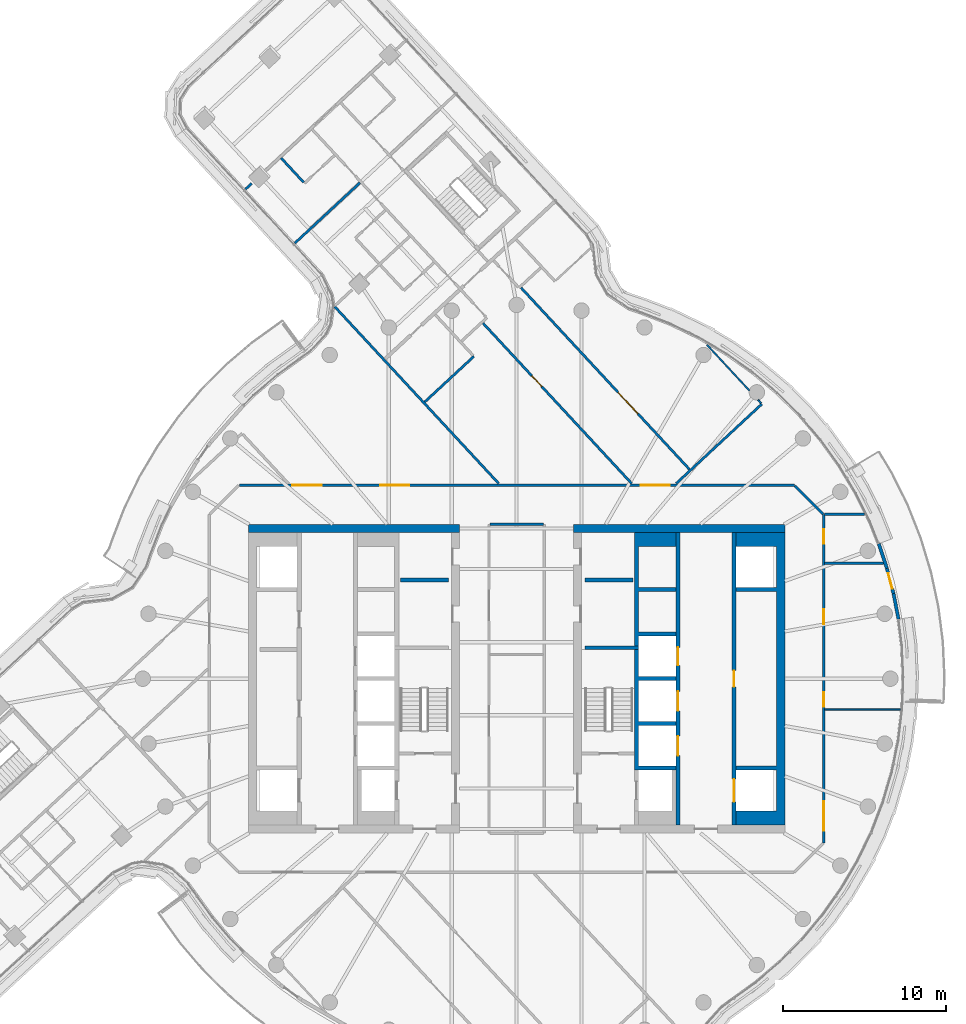
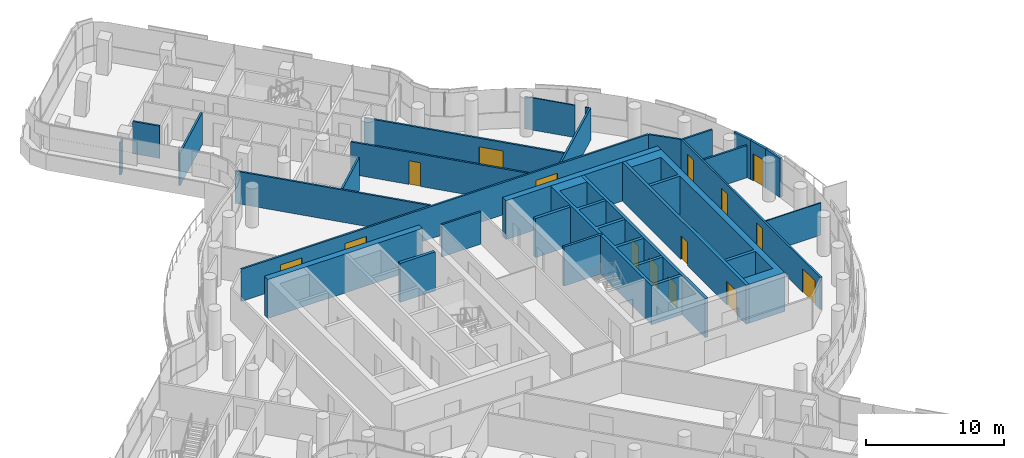
# One storey, part 24 of 34: 29 walls, 15 doors, 15 openings.
"""IFC4 building model written with IfcOpenShell, lengths in metres."""

from ifc_helpers import new_model, si_unit, direction, frame, frame_2d, origin, place, context, subcontext, project, spatial, polyline, rectangle, outline, extrude, material, layer, layer_set, type_object, element, fill, save


model = new_model("IFC4")

# Units and contexts
model_context = context("Model", 3, precision=1e-05, world=origin(), true_north=direction((0.0, 1.0)))
body_context = subcontext(model_context, "Body", "Model", "MODEL_VIEW")
ifc_project = project(units=[si_unit("LENGTHUNIT", "METRE"), si_unit("AREAUNIT", "SQUARE_METRE"), si_unit("VOLUMEUNIT", "CUBIC_METRE"), si_unit("PLANEANGLEUNIT", "RADIAN"), si_unit("MASSUNIT", "GRAM", prefix="KILO")], contexts=[model_context])

# Site, building, storey
site_placement = place(None, origin())
site = spatial("IfcSite", under=ifc_project, at=site_placement, CompositionType="ELEMENT")
building_placement = place(site_placement, origin())
building = spatial("IfcBuilding", under=site, at=building_placement, Name="Tamarind Cross Interchange Tower", CompositionType="ELEMENT")
storey_placement = place(building_placement, frame((0.0, 0.0, 189.699951171875)))
storey = spatial("IfcBuildingStorey", under=building, at=storey_placement, Name="L47", CompositionType="ELEMENT", Elevation=189.699951171875)

# Walls
ifc_material_1 = material(Name="Concrete C40", Category="concrete")
ifc_layer_1 = layer(ifc_material_1, 0.199951171875)
ifc_layer_set_1 = layer_set([ifc_layer_1], Name="Concrete C40")
wall_type_1 = type_object("IfcWallType", Name="Balcony and garden door wall", PredefinedType="SOLIDWALL", material=ifc_layer_set_1)
wall_1_placement = place(storey_placement, frame((23.5, 3.66162109375, 0.0), z_axis=(0.0, 0.0, 1.0), x_axis=(-0.191317400728, 0.981528222813, 0.0)))
element("IfcWall", 1, at=wall_1_placement, inside=storey, type_object=wall_type_1, Name="EXW-L47-02-D07L", PredefinedType="SOLIDWALL", context=body_context, shape_type="SweptSolid", body=[
    extrude(rectangle(XDim=1.605224609375, YDim=0.199951171875, at=frame_2d((0.802734375, 0.0))), origin(), (0.0, 0.0, 1.0), 3.4599609375),
])
wall_2_placement = place(storey_placement, frame((22.787353515625, 6.78369140625, 0.0), z_axis=(0.0, 0.0, 1.0), x_axis=(-0.314950038324, 0.949108251655, 0.0)))
element("IfcWall", 2, at=wall_2_placement, inside=storey, type_object=wall_type_1, Name="EXW-L47-02-D07R", PredefinedType="SOLIDWALL", context=body_context, shape_type="SweptSolid", body=[
    extrude(rectangle(XDim=1.60546875, YDim=0.199951171875, at=frame_2d((0.802734375, 0.0))), origin(), (0.0, 0.0, 1.0), 3.4599609375),
])

# Wall, opening, door
wall_3_placement = place(storey_placement, frame((23.19287109375, 5.2373046875, 0.0), z_axis=(0.0, 0.0, 1.0), x_axis=(-0.253658813577, 0.96729375388, 0.0)))
wall_3 = element("IfcWall", 3, at=wall_3_placement, inside=storey, type_object=wall_type_1, Name="EXW-L47-02-D07", PredefinedType="SOLIDWALL", context=body_context, shape_type="SweptSolid", body=[
    extrude(rectangle(XDim=1.5986328125, YDim=0.199951171875, at=frame_2d((0.79931640625, 0.0))), origin(), (0.0, 0.0, 1.0), 3.4599609375),
])
opening_1_placement = place(wall_3_placement, frame((0.29931640625, 0.0, 0.0)))
opening_1 = element("IfcOpeningElement", 4, at=opening_1_placement, cuts=wall_3, Name="Opening D2", PredefinedType="OPENING", context=body_context, shape_type="SweptSolid", body=[
    extrude(rectangle(XDim=1.0, YDim=2.39990234375, at=frame_2d((0.5, 1.199951171875))), frame((0.0, 0.10986328125, 0.0), z_axis=(0.0, -1.0, 0.0), x_axis=(1.0, 0.0, 0.0)), (0.0, 0.0, 1.0), 0.219970703125),
])
ifc_material_2 = material(Name="Aluminium and toughened glass", Category="aluminium")
door_type_1 = type_object("IfcDoorType", Name="Balcony and garden door", OperationType="SINGLE_SWING_LEFT", PredefinedType="DOOR", material=ifc_material_2)
door_1_placement = place(opening_1_placement, origin())
door_1 = element("IfcDoor", 5, at=door_1_placement, inside=storey, type_object=door_type_1, Name="DOR-L47-02-07", OperationType="SINGLE_SWING_LEFT", OverallHeight=2.39990234375, OverallWidth=1.0, PredefinedType="DOOR", context=body_context, shape_type="SweptSolid", body=[
    extrude(rectangle(XDim=1.0, YDim=2.39990234375, at=frame_2d((0.5, 1.199951171875))), frame((0.0, 0.02490234375, 0.0), z_axis=(0.0, -1.0, 0.0), x_axis=(1.0, 0.0, 0.0)), (0.0, 0.0, 1.0), 0.050048828125),
])
fill(opening_1, door_1)

# Walls
ifc_material_3 = material(Name="Concrete C55", Category="concrete")
ifc_layer_2 = layer(ifc_material_3, 0.5)
ifc_layer_set_2 = layer_set([ifc_layer_2], Name="Concrete C55")
wall_type_2 = type_object("IfcWallType", Name="Core wall 500 mm Concrete C55", PredefinedType="SHEAR", material=ifc_layer_set_2)
wall_4_placement = place(storey_placement, frame((-16.5, 9.25, 0.0), z_axis=(0.0, 0.0, 1.0), x_axis=(1.0, 0.0, 0.0)))
element("IfcWall", 6, at=wall_4_placement, inside=storey, type_object=wall_type_2, Name="Core wall CWL-L47-W-NE", PredefinedType="SHEAR", context=body_context, shape_type="SweptSolid", body=[
    extrude(rectangle(XDim=13.0, YDim=0.5, at=frame_2d((6.5, 0.0))), origin(), (0.0, 0.0, 1.0), 3.4599609375),
])
wall_5_placement = place(storey_placement, origin())
element("IfcWall", 7, at=wall_5_placement, inside=storey, type_object=wall_type_2, Name="Core wall CWL-L47-E-A", PredefinedType="SHEAR", context=body_context, shape_type="SweptSolid", body=[
    extrude(outline(polyline([(13.5, -8.125), (13.5, -9.0), (16.0, -9.0), (16.5, -9.0), (16.5, 9.0), (16.0, 9.0), (13.5, 9.0), (13.5, 8.125), (16.0, 8.125), (16.0, 5.625), (13.5, 5.625), (13.5, 5.375), (16.0, 5.375), (16.0, -5.375), (13.5, -5.375), (13.5, -5.625), (16.0, -5.625), (16.0, -8.125), (13.5, -8.125)])), origin(), (0.0, 0.0, 1.0), 3.4599609375),
])
wall_6_placement = place(storey_placement, frame((16.5, 9.25, 0.0), z_axis=(0.0, 0.0, 1.0), x_axis=(-1.0, 0.0, 0.0)))
element("IfcWall", 8, at=wall_6_placement, inside=storey, type_object=wall_type_2, Name="Core wall CWL-L47-E-NE", PredefinedType="SHEAR", context=body_context, shape_type="SweptSolid", body=[
    extrude(rectangle(XDim=13.0, YDim=0.5, at=frame_2d((6.5, 0.0))), origin(), (0.0, 0.0, 1.0), 3.4599609375),
])
ifc_layer_3 = layer(ifc_material_3, 0.199951171875)
ifc_layer_set_3 = layer_set([ifc_layer_3], Name="Concrete C55")
wall_type_3 = type_object("IfcWallType", Name="Core web wall 200 mm Concrete C55", PredefinedType="SHEAR", material=ifc_layer_set_3)
wall_7_placement = place(storey_placement, frame((7.5, 1.89990234375, 0.0), z_axis=(0.0, 0.0, 1.0), x_axis=(-1.0, 0.0, 0.0)))
element("IfcWall", 9, at=wall_7_placement, inside=storey, type_object=wall_type_3, Name="Core wall CWL-L47-E-BD", PredefinedType="SHEAR", context=body_context, shape_type="SweptSolid", body=[
    extrude(rectangle(XDim=3.300048828125, YDim=0.199951171875, at=frame_2d((1.64990234375, 0.0))), origin(), (0.0, 0.0, 1.0), 3.4599609375),
])
ifc_layer_4 = layer(ifc_material_3, 0.25)
ifc_layer_set_4 = layer_set([ifc_layer_4], Name="Concrete C55")
wall_type_4 = type_object("IfcWallType", Name="Core web wall 250 mm Concrete C55", PredefinedType="SHEAR", material=ifc_layer_set_4)
wall_8_placement = place(storey_placement, origin())
element("IfcWall", 10, at=wall_8_placement, inside=storey, type_object=wall_type_4, Name="Core wall CWL-L47-E-BN", PredefinedType="SHEAR", context=body_context, shape_type="SweptSolid", body=[
    extrude(outline(polyline([(9.800048828125, -5.375), (7.5, -5.375), (7.5, -2.875), (9.800048828125, -2.875), (9.800048828125, -2.625), (7.5, -2.625), (7.5, -0.125), (9.800048828125, -0.125), (9.800048828125, 0.125), (7.5, 0.125), (7.5, 2.625), (9.800048828125, 2.625), (9.800048828125, 2.875), (7.5, 2.875), (7.5, 5.375), (9.800048828125, 5.375), (9.800048828125, 5.625), (7.5, 5.625), (7.5, 8.125), (9.800048828125, 8.125), (9.800048828125, 9.0), (7.5, 9.0), (7.25, 9.0), (7.25, -5.625), (7.5, -5.625), (9.800048828125, -5.625), (9.800048828125, -5.375)])), origin(), (0.0, 0.0, 1.0), 3.4599609375),
])

# Wall, openings, doors
wall_9_placement = place(storey_placement, frame((13.375, -9.0, 0.0), z_axis=(0.0, 0.0, 1.0), x_axis=(0.0, 1.0, 0.0)))
wall_9 = element("IfcWall", 11, at=wall_9_placement, inside=storey, type_object=wall_type_4, Name="Core wall CWL-L47-E-LA", PredefinedType="SHEAR", context=body_context, shape_type="SweptSolid", body=[
    extrude(rectangle(XDim=18.0, YDim=0.25, at=frame_2d((9.0, 0.0))), origin(), (0.0, 0.0, 1.0), 3.4599609375),
])
opening_2_placement = place(wall_9_placement, frame((1.425048828125, 0.0, 0.0)))
opening_2 = element("IfcOpeningElement", 12, at=opening_2_placement, cuts=wall_9, Name="Opening LD13L47", PredefinedType="OPENING", context=body_context, shape_type="SweptSolid", body=[
    extrude(rectangle(XDim=1.39990234375, YDim=2.10009765625, at=frame_2d((0.699951171875, 1.050048828125))), frame((0.0, 0.135009765625, 0.0), z_axis=(0.0, -1.0, 0.0), x_axis=(1.0, 0.0, 0.0)), (0.0, 0.0, 1.0), 0.27001953125),
])
opening_3_placement = place(wall_9_placement, frame((8.5, 0.0, 0.0)))
opening_3 = element("IfcOpeningElement", 13, at=opening_3_placement, cuts=wall_9, Name="Opening DCE9", PredefinedType="OPENING", context=body_context, shape_type="SweptSolid", body=[
    extrude(rectangle(XDim=1.0, YDim=2.10009765625, at=frame_2d((0.5, 1.050048828125))), frame((0.0, 0.135009765625, 0.0), z_axis=(0.0, -1.0, 0.0), x_axis=(1.0, 0.0, 0.0)), (0.0, 0.0, 1.0), 0.27001953125),
])
ifc_material_4 = material(Name="Steel, fire-resisting", Category="steel")
door_type_2 = type_object("IfcDoorType", Name="Core fire door 1000 x 2100 FD90", OperationType="SINGLE_SWING_LEFT", PredefinedType="DOOR", material=ifc_material_4)
door_2_placement = place(opening_3_placement, origin())
door_2 = element("IfcDoor", 14, at=door_2_placement, inside=storey, type_object=door_type_2, Name="L47 Housekeeping pantry door", OperationType="SINGLE_SWING_LEFT", OverallHeight=2.10009765625, OverallWidth=1.0, PredefinedType="DOOR", context=body_context, shape_type="SweptSolid", body=[
    extrude(rectangle(XDim=1.0, YDim=2.10009765625, at=frame_2d((0.5, 1.050048828125))), frame((0.0, 0.02490234375, 0.0), z_axis=(0.0, -1.0, 0.0), x_axis=(1.0, 0.0, 0.0)), (0.0, 0.0, 1.0), 0.050048828125),
])
fill(opening_3, door_2)
ifc_material_5 = material(Name="Stainless steel panel", Category="steel")
door_type_3 = type_object("IfcDoorType", Name="Lift landing door 1400 x 2100 E 120", OperationType="SLIDING_TO_LEFT", PredefinedType="DOOR", material=ifc_material_5)
door_3_placement = place(opening_2_placement, origin())
door_3 = element("IfcDoor", 15, at=door_3_placement, inside=storey, type_object=door_type_3, Name="L47 landing door LF13", OperationType="SLIDING_TO_LEFT", OverallHeight=2.10009765625, OverallWidth=1.39990234375, PredefinedType="DOOR", context=body_context, shape_type="SweptSolid", body=[
    extrude(rectangle(XDim=1.39990234375, YDim=2.10009765625, at=frame_2d((0.699951171875, 1.050048828125))), frame((0.0, 0.02490234375, 0.0), z_axis=(0.0, -1.0, 0.0), x_axis=(1.0, 0.0, 0.0)), (0.0, 0.0, 1.0), 0.050048828125),
])
fill(opening_2, door_3)

wall_10_placement = place(storey_placement, frame((9.925048828125, -9.0, 0.0), z_axis=(0.0, 0.0, 1.0), x_axis=(0.0, 1.0, 0.0)))
wall_10 = element("IfcWall", 16, at=wall_10_placement, inside=storey, type_object=wall_type_4, Name="Core wall CWL-L47-E-LB", PredefinedType="SHEAR", context=body_context, shape_type="SweptSolid", body=[
    extrude(rectangle(XDim=18.0, YDim=0.25, at=frame_2d((9.0, 0.0))), origin(), (0.0, 0.0, 1.0), 3.4599609375),
])
opening_4_placement = place(wall_10_placement, frame((4.27490234375, 0.0, 0.0)))
opening_4 = element("IfcOpeningElement", 17, at=opening_4_placement, cuts=wall_10, Name="Opening LD20L47", PredefinedType="OPENING", context=body_context, shape_type="SweptSolid", body=[
    extrude(rectangle(XDim=1.199951171875, YDim=2.10009765625, at=frame_2d((0.60009765625, 1.050048828125))), frame((0.0, 0.135009765625, 0.0), z_axis=(0.0, -1.0, 0.0), x_axis=(1.0, 0.0, 0.0)), (0.0, 0.0, 1.0), 0.27001953125),
])
opening_5_placement = place(wall_10_placement, frame((7.02490234375, 0.0, 0.0)))
opening_5 = element("IfcOpeningElement", 18, at=opening_5_placement, cuts=wall_10, Name="Opening LD21L47", PredefinedType="OPENING", context=body_context, shape_type="SweptSolid", body=[
    extrude(rectangle(XDim=1.199951171875, YDim=2.10009765625, at=frame_2d((0.60009765625, 1.050048828125))), frame((0.0, 0.135009765625, 0.0), z_axis=(0.0, -1.0, 0.0), x_axis=(1.0, 0.0, 0.0)), (0.0, 0.0, 1.0), 0.27001953125),
])
opening_6_placement = place(wall_10_placement, frame((9.824951171875, 0.0, 0.0)))
opening_6 = element("IfcOpeningElement", 19, at=opening_6_placement, cuts=wall_10, Name="Opening LD22L47", PredefinedType="OPENING", context=body_context, shape_type="SweptSolid", body=[
    extrude(rectangle(XDim=1.10009765625, YDim=2.10009765625, at=frame_2d((0.550048828125, 1.050048828125))), frame((0.0, 0.135009765625, 0.0), z_axis=(0.0, -1.0, 0.0), x_axis=(1.0, 0.0, 0.0)), (0.0, 0.0, 1.0), 0.27001953125),
])
door_type_4 = type_object("IfcDoorType", Name="Lift landing door 1100 x 2100 E 120", OperationType="SLIDING_TO_LEFT", PredefinedType="DOOR", material=ifc_material_5)
door_4_placement = place(opening_6_placement, origin())
door_4 = element("IfcDoor", 20, at=door_4_placement, inside=storey, type_object=door_type_4, Name="L47 landing door LF22", OperationType="SLIDING_TO_LEFT", OverallHeight=2.10009765625, OverallWidth=1.10009765625, PredefinedType="DOOR", context=body_context, shape_type="SweptSolid", body=[
    extrude(rectangle(XDim=1.10009765625, YDim=2.10009765625, at=frame_2d((0.550048828125, 1.050048828125))), frame((0.0, 0.02490234375, 0.0), z_axis=(0.0, -1.0, 0.0), x_axis=(1.0, 0.0, 0.0)), (0.0, 0.0, 1.0), 0.050048828125),
])
fill(opening_6, door_4)
door_type_5 = type_object("IfcDoorType", Name="Lift landing door 1200 x 2100 E 120", OperationType="SLIDING_TO_LEFT", PredefinedType="DOOR", material=ifc_material_5)
door_5_placement = place(opening_4_placement, origin())
door_5 = element("IfcDoor", 21, at=door_5_placement, inside=storey, type_object=door_type_5, Name="L47 landing door LF20", OperationType="SLIDING_TO_LEFT", OverallHeight=2.10009765625, OverallWidth=1.199951171875, PredefinedType="DOOR", context=body_context, shape_type="SweptSolid", body=[
    extrude(rectangle(XDim=1.199951171875, YDim=2.10009765625, at=frame_2d((0.60009765625, 1.050048828125))), frame((0.0, 0.02490234375, 0.0), z_axis=(0.0, -1.0, 0.0), x_axis=(1.0, 0.0, 0.0)), (0.0, 0.0, 1.0), 0.050048828125),
])
fill(opening_4, door_5)
door_6_placement = place(opening_5_placement, origin())
door_6 = element("IfcDoor", 22, at=door_6_placement, inside=storey, type_object=door_type_5, Name="L47 landing door LF21", OperationType="SLIDING_TO_LEFT", OverallHeight=2.10009765625, OverallWidth=1.199951171875, PredefinedType="DOOR", context=body_context, shape_type="SweptSolid", body=[
    extrude(rectangle(XDim=1.199951171875, YDim=2.10009765625, at=frame_2d((0.60009765625, 1.050048828125))), frame((0.0, 0.02490234375, 0.0), z_axis=(0.0, -1.0, 0.0), x_axis=(1.0, 0.0, 0.0)), (0.0, 0.0, 1.0), 0.050048828125),
])
fill(opening_5, door_6)

# Walls
ifc_material_6 = material(Name="Gypsum board partition on steel studs", Category="steel")
ifc_layer_5 = layer(ifc_material_6, 0.10009765625)
ifc_layer_set_5 = layer_set([ifc_layer_5], Name="Gypsum board partition on steel studs")
wall_type_5 = type_object("IfcWallType", Name="Partition 100 mm EI 90", PredefinedType="PARTITIONING", material=ifc_layer_set_5)
wall_11_placement = place(storey_placement, frame((11.71533203125, 20.542236328125, 0.0), z_axis=(0.0, 0.0, 1.0), x_axis=(0.679978080858, -0.733232438966, 0.0)))
element("IfcWall", 23, at=wall_11_placement, inside=storey, type_object=wall_type_5, Name="Partition L47-032", PredefinedType="PARTITIONING", context=body_context, shape_type="SweptSolid", body=[
    extrude(rectangle(XDim=3.841796875, YDim=0.10009765625, at=frame_2d((1.9208984375, 0.0))), origin(), (0.0, 0.0, 1.0), 2.864013671875),
])
wall_12_placement = place(storey_placement, frame((14.857666015625, 17.15380859375, 0.0), z_axis=(0.0, 0.0, 1.0), x_axis=(0.679849378898, -0.733351772352, 0.0)))
element("IfcWall", 24, at=wall_12_placement, inside=storey, type_object=wall_type_5, Name="Partition L47-033", PredefinedType="PARTITIONING", context=body_context, shape_type="SweptSolid", body=[
    extrude(rectangle(XDim=0.2646484375, YDim=0.10009765625, at=frame_2d((0.13232421875, 0.0))), origin(), (0.0, 0.0, 1.0), 2.864013671875),
])
wall_13_placement = place(storey_placement, frame((18.955078125, -1.889892578125, 0.0), z_axis=(0.0, 0.0, 1.0), x_axis=(1.0, 0.0, 0.0)))
element("IfcWall", 25, at=wall_13_placement, inside=storey, type_object=wall_type_5, Name="Partition L47-041", PredefinedType="PARTITIONING", context=body_context, shape_type="SweptSolid", body=[
    extrude(rectangle(XDim=4.662841796875, YDim=0.10009765625, at=frame_2d((2.33154296875, 0.0))), origin(), (0.0, 0.0, 1.0), 2.864013671875),
])
ifc_layer_6 = layer(ifc_material_6, 0.14990234375)
ifc_layer_set_6 = layer_set([ifc_layer_6], Name="Gypsum board partition on steel studs")
wall_type_6 = type_object("IfcWallType", Name="Partition 150 mm EI 120", PredefinedType="PARTITIONING", material=ifc_layer_set_6)
wall_14_placement = place(storey_placement, frame((-14.49462890625, 32.043212890625, 0.0), z_axis=(0.0, 0.0, 1.0), x_axis=(0.680043433849, -0.733171827118, 0.0)))
element("IfcWall", 26, at=wall_14_placement, inside=storey, type_object=wall_type_6, Name="Partition L47-011", PredefinedType="PARTITIONING", context=body_context, shape_type="SweptSolid", body=[
    extrude(rectangle(XDim=2.044921875, YDim=0.14990234375, at=frame_2d((1.0224609375, 0.0))), origin(), (0.0, 0.0, 1.0), 2.864013671875),
])
wall_15_placement = place(storey_placement, frame((-11.18994140625, 22.889892578125, 0.0), z_axis=(0.0, 0.0, 1.0), x_axis=(0.679949372444, -0.733259061255, 0.0)))
element("IfcWall", 27, at=wall_15_placement, inside=storey, type_object=wall_type_6, Name="Partition L47-014", PredefinedType="PARTITIONING", context=body_context, shape_type="SweptSolid", body=[
    extrude(rectangle(XDim=14.8427734375, YDim=0.14990234375, at=frame_2d((7.42138671875, 0.0))), origin(), (0.0, 0.0, 1.0), 2.864013671875),
])

# Wall, opening, door
wall_16_placement = place(storey_placement, frame((-2.070556640625, 21.88037109375, 0.0), z_axis=(0.0, 0.0, 1.0), x_axis=(0.679904289686, -0.733300863811, 0.0)))
wall_16 = element("IfcWall", 28, at=wall_16_placement, inside=storey, type_object=wall_type_6, Name="Partition L47-021", PredefinedType="PARTITIONING", context=body_context, shape_type="SweptSolid", body=[
    extrude(rectangle(XDim=13.465087890625, YDim=0.14990234375, at=frame_2d((6.732421875, 0.0))), origin(), (0.0, 0.0, 1.0), 2.864013671875),
])
opening_7_placement = place(wall_16_placement, frame((4.419921875, 0.0, 0.0)))
opening_7 = element("IfcOpeningElement", 29, at=opening_7_placement, cuts=wall_16, Name="Opening D13", PredefinedType="OPENING", context=body_context, shape_type="SweptSolid", body=[
    extrude(rectangle(XDim=0.89990234375, YDim=2.10009765625, at=frame_2d((0.449951171875, 1.050048828125))), frame((0.0, 0.0849609375, 0.0), z_axis=(0.0, -1.0, 0.0), x_axis=(1.0, 0.0, 0.0)), (0.0, 0.0, 1.0), 0.169921875),
])
ifc_material_7 = material(Name="Fire-resisting door set")
door_type_6 = type_object("IfcDoorType", Name="Interior door 900 x 2100 FD60S", OperationType="SINGLE_SWING_LEFT", PredefinedType="DOOR", material=ifc_material_7)
door_7_placement = place(opening_7_placement, frame((0.89990234375, 0.0, 0.0), z_axis=(0.0, 0.0, 1.0), x_axis=(-1.0, 0.0, 0.0)))
door_7 = element("IfcDoor", 30, at=door_7_placement, inside=storey, type_object=door_type_6, Name="Door D13", OperationType="SINGLE_SWING_LEFT", OverallHeight=2.10009765625, OverallWidth=0.89990234375, PredefinedType="DOOR", context=body_context, shape_type="SweptSolid", body=[
    extrude(rectangle(XDim=0.89990234375, YDim=2.10009765625, at=frame_2d((0.449951171875, 1.050048828125))), frame((0.0, 0.02490234375, 0.0), z_axis=(0.0, -1.0, 0.0), x_axis=(1.0, 0.0, 0.0)), (0.0, 0.0, 1.0), 0.050048828125),
])
fill(opening_7, door_7)

wall_17_placement = place(storey_placement, frame((0.2763671875, 24.055419921875, 0.0), z_axis=(0.0, 0.0, 1.0), x_axis=(0.67991262492, -0.733293135434, 0.0)))
wall_17 = element("IfcWall", 31, at=wall_17_placement, inside=storey, type_object=wall_type_6, Name="Partition L47-024", PredefinedType="PARTITIONING", context=body_context, shape_type="SweptSolid", body=[
    extrude(rectangle(XDim=15.2392578125, YDim=0.14990234375, at=frame_2d((7.61962890625, 0.0))), origin(), (0.0, 0.0, 1.0), 2.864013671875),
])
opening_8_placement = place(wall_17_placement, frame((8.77001953125, 0.0, 0.0)))
opening_8 = element("IfcOpeningElement", 32, at=opening_8_placement, cuts=wall_17, Name="Opening D15", PredefinedType="OPENING", context=body_context, shape_type="SweptSolid", body=[
    extrude(rectangle(XDim=1.800048828125, YDim=2.10009765625, at=frame_2d((0.89990234375, 1.050048828125))), frame((0.0, 0.0849609375, 0.0), z_axis=(0.0, -1.0, 0.0), x_axis=(1.0, 0.0, 0.0)), (0.0, 0.0, 1.0), 0.169921875),
])
door_type_7 = type_object("IfcDoorType", Name="Interior door 1800 x 2100 FD60S", OperationType="DOUBLE_DOOR_SINGLE_SWING", PredefinedType="DOOR", material=ifc_material_7)
door_8_placement = place(opening_8_placement, origin())
door_8 = element("IfcDoor", 33, at=door_8_placement, inside=storey, type_object=door_type_7, Name="Door D15", OperationType="DOUBLE_DOOR_SINGLE_SWING", OverallHeight=2.10009765625, OverallWidth=1.800048828125, PredefinedType="DOOR", context=body_context, shape_type="SweptSolid", body=[
    extrude(rectangle(XDim=1.800048828125, YDim=2.10009765625, at=frame_2d((0.89990234375, 1.050048828125))), frame((0.0, 0.02490234375, 0.0), z_axis=(0.0, -1.0, 0.0), x_axis=(1.0, 0.0, 0.0)), (0.0, 0.0, 1.0), 0.050048828125),
])
fill(opening_8, door_8)

# Wall
wall_18_placement = place(storey_placement, frame((17.12841796875, 11.87158203125, 0.0), z_axis=(0.0, 0.0, 1.0), x_axis=(0.707106781187, -0.707106781187, 0.0)))
element("IfcWall", 34, at=wall_18_placement, inside=storey, type_object=wall_type_6, Name="Partition L47-035", PredefinedType="PARTITIONING", context=body_context, shape_type="SweptSolid", body=[
    extrude(rectangle(XDim=2.455078125, YDim=0.14990234375, at=frame_2d((1.2275390625, 0.0))), origin(), (0.0, 0.0, 1.0), 2.864013671875),
])

# Wall, openings, doors
wall_19_placement = place(storey_placement, frame((-17.06494140625, 11.89990234375, 0.0), z_axis=(0.0, 0.0, 1.0), x_axis=(1.0, 0.0, 0.0)))
wall_19 = element("IfcWall", 35, at=wall_19_placement, inside=storey, type_object=wall_type_6, Name="Partition L47-037", PredefinedType="PARTITIONING", context=body_context, shape_type="SweptSolid", body=[
    extrude(rectangle(XDim=34.1650390625, YDim=0.14990234375, at=frame_2d((17.08251953125, 0.0))), origin(), (0.0, 0.0, 1.0), 2.864013671875),
])
opening_9_placement = place(wall_19_placement, frame((24.697998046875, 0.0, 0.0)))
opening_9 = element("IfcOpeningElement", 36, at=opening_9_placement, cuts=wall_19, Name="Opening D25", PredefinedType="OPENING", context=body_context, shape_type="SweptSolid", body=[
    extrude(rectangle(XDim=1.800048828125, YDim=2.10009765625, at=frame_2d((0.89990234375, 1.050048828125))), frame((0.0, 0.0849609375, 0.0), z_axis=(0.0, -1.0, 0.0), x_axis=(1.0, 0.0, 0.0)), (0.0, 0.0, 1.0), 0.169921875),
])
opening_10_placement = place(wall_19_placement, frame((8.673095703125, 0.0, 0.0)))
opening_10 = element("IfcOpeningElement", 37, at=opening_10_placement, cuts=wall_19, Name="Opening D26", PredefinedType="OPENING", context=body_context, shape_type="SweptSolid", body=[
    extrude(rectangle(XDim=1.800048828125, YDim=2.10009765625, at=frame_2d((0.89990234375, 1.050048828125))), frame((0.0, 0.0849609375, 0.0), z_axis=(0.0, -1.0, 0.0), x_axis=(1.0, 0.0, 0.0)), (0.0, 0.0, 1.0), 0.169921875),
])
opening_11_placement = place(wall_19_placement, frame((3.27294921875, 0.0, 0.0)))
opening_11 = element("IfcOpeningElement", 38, at=opening_11_placement, cuts=wall_19, Name="Opening D27", PredefinedType="OPENING", context=body_context, shape_type="SweptSolid", body=[
    extrude(rectangle(XDim=1.800048828125, YDim=2.10009765625, at=frame_2d((0.89990234375, 1.050048828125))), frame((0.0, 0.0849609375, 0.0), z_axis=(0.0, -1.0, 0.0), x_axis=(1.0, 0.0, 0.0)), (0.0, 0.0, 1.0), 0.169921875),
])
door_9_placement = place(opening_9_placement, frame((1.800048828125, 0.0, 0.0), z_axis=(0.0, 0.0, 1.0), x_axis=(-1.0, 0.0, 0.0)))
door_9 = element("IfcDoor", 39, at=door_9_placement, inside=storey, type_object=door_type_7, Name="Door D25", OperationType="DOUBLE_DOOR_SINGLE_SWING", OverallHeight=2.10009765625, OverallWidth=1.800048828125, PredefinedType="DOOR", context=body_context, shape_type="SweptSolid", body=[
    extrude(rectangle(XDim=1.800048828125, YDim=2.10009765625, at=frame_2d((0.89990234375, 1.050048828125))), frame((0.0, 0.02490234375, 0.0), z_axis=(0.0, -1.0, 0.0), x_axis=(1.0, 0.0, 0.0)), (0.0, 0.0, 1.0), 0.050048828125),
])
fill(opening_9, door_9)
door_10_placement = place(opening_10_placement, origin())
door_10 = element("IfcDoor", 40, at=door_10_placement, inside=storey, type_object=door_type_7, Name="Door D26", OperationType="DOUBLE_DOOR_SINGLE_SWING", OverallHeight=2.10009765625, OverallWidth=1.800048828125, PredefinedType="DOOR", context=body_context, shape_type="SweptSolid", body=[
    extrude(rectangle(XDim=1.800048828125, YDim=2.10009765625, at=frame_2d((0.89990234375, 1.050048828125))), frame((0.0, 0.02490234375, 0.0), z_axis=(0.0, -1.0, 0.0), x_axis=(1.0, 0.0, 0.0)), (0.0, 0.0, 1.0), 0.050048828125),
])
fill(opening_10, door_10)
door_11_placement = place(opening_11_placement, origin())
door_11 = element("IfcDoor", 41, at=door_11_placement, inside=storey, type_object=door_type_7, Name="Door D27", OperationType="DOUBLE_DOOR_SINGLE_SWING", OverallHeight=2.10009765625, OverallWidth=1.800048828125, PredefinedType="DOOR", context=body_context, shape_type="SweptSolid", body=[
    extrude(rectangle(XDim=1.800048828125, YDim=2.10009765625, at=frame_2d((0.89990234375, 1.050048828125))), frame((0.0, 0.02490234375, 0.0), z_axis=(0.0, -1.0, 0.0), x_axis=(1.0, 0.0, 0.0)), (0.0, 0.0, 1.0), 0.050048828125),
])
fill(opening_11, door_11)

# Walls
wall_20_placement = place(storey_placement, frame((-1.639892578125, 9.5, 0.0), z_axis=(0.0, 0.0, 1.0), x_axis=(1.0, 0.0, 0.0)))
element("IfcWall", 42, at=wall_20_placement, inside=storey, type_object=wall_type_6, Name="Partition L47-040", PredefinedType="PARTITIONING", context=body_context, shape_type="SweptSolid", body=[
    extrude(rectangle(XDim=3.27978515625, YDim=0.14990234375, at=frame_2d((1.639892578125, 0.0))), origin(), (0.0, 0.0, 1.0), 2.864013671875),
])
wall_21_placement = place(storey_placement, frame((18.955078125, 7.111083984375, 0.0), z_axis=(0.0, 0.0, 1.0), x_axis=(1.0, 0.0, 0.0)))
element("IfcWall", 43, at=wall_21_placement, inside=storey, type_object=wall_type_6, Name="Partition L47-042", PredefinedType="PARTITIONING", context=body_context, shape_type="SweptSolid", body=[
    extrude(rectangle(XDim=3.6279296875, YDim=0.14990234375, at=frame_2d((1.81396484375, 0.0))), origin(), (0.0, 0.0, 1.0), 2.864013671875),
])
wall_22_placement = place(storey_placement, frame((18.955078125, 10.111083984375, 0.0), z_axis=(0.0, 0.0, 1.0), x_axis=(1.0, 0.0, 0.0)))
element("IfcWall", 44, at=wall_22_placement, inside=storey, type_object=wall_type_6, Name="Partition L47-043", PredefinedType="PARTITIONING", context=body_context, shape_type="SweptSolid", body=[
    extrude(rectangle(XDim=2.455810546875, YDim=0.14990234375, at=frame_2d((1.22802734375, 0.0))), origin(), (0.0, 0.0, 1.0), 2.864013671875),
])
wall_23_placement = place(storey_placement, frame((-16.6884765625, 30.11865234375, 0.0), z_axis=(0.0, 0.0, 1.0), x_axis=(0.733469735022, 0.679722110724, 0.0)))
element("IfcWall", 45, at=wall_23_placement, inside=storey, type_object=wall_type_6, Name="Partition L47-053", PredefinedType="PARTITIONING", context=body_context, shape_type="SweptSolid", body=[
    extrude(rectangle(XDim=0.52685546875, YDim=0.14990234375, at=frame_2d((0.263427734375, 0.0))), origin(), (0.0, 0.0, 1.0), 2.864013671875),
])
wall_24_placement = place(storey_placement, frame((-13.64013671875, 26.8076171875, 0.0), z_axis=(0.0, 0.0, 1.0), x_axis=(0.733242994102, 0.67996669889, 0.0)))
element("IfcWall", 46, at=wall_24_placement, inside=storey, type_object=wall_type_6, Name="Partition L47-057", PredefinedType="PARTITIONING", context=body_context, shape_type="SweptSolid", body=[
    extrude(rectangle(XDim=5.453125, YDim=0.14990234375, at=frame_2d((2.7265625, 0.0))), origin(), (0.0, 0.0, 1.0), 2.864013671875),
])
wall_25_placement = place(storey_placement, frame((-5.650390625, 17.033447265625, 0.0), z_axis=(0.0, 0.0, 1.0), x_axis=(0.733295549229, 0.679910021607, 0.0)))
element("IfcWall", 47, at=wall_25_placement, inside=storey, type_object=wall_type_6, Name="Partition L47-066", PredefinedType="PARTITIONING", context=body_context, shape_type="SweptSolid", body=[
    extrude(rectangle(XDim=4.120361328125, YDim=0.14990234375, at=frame_2d((2.06005859375, 0.0))), origin(), (0.0, 0.0, 1.0), 2.864013671875),
])
wall_26_placement = place(storey_placement, frame((9.819091796875, 12.01220703125, 0.0), z_axis=(0.0, 0.0, 1.0), x_axis=(0.733159805049, 0.680056394912, 0.0)))
element("IfcWall", 48, at=wall_26_placement, inside=storey, type_object=wall_type_6, Name="Partition L47-086", PredefinedType="PARTITIONING", context=body_context, shape_type="SweptSolid", body=[
    extrude(rectangle(XDim=7.1904296875, YDim=0.14990234375, at=frame_2d((3.59521484375, 0.0))), origin(), (0.0, 0.0, 1.0), 2.864013671875),
])

# Wall, openings, doors
wall_27_placement = place(storey_placement, frame((18.89990234375, -10.10009765625, 0.0), z_axis=(0.0, 0.0, 1.0), x_axis=(0.0, 1.0, 0.0)))
wall_27 = element("IfcWall", 49, at=wall_27_placement, inside=storey, type_object=wall_type_6, Name="Partition L47-093", PredefinedType="PARTITIONING", context=body_context, shape_type="SweptSolid", body=[
    extrude(rectangle(XDim=20.211181640625, YDim=0.14990234375, at=frame_2d((10.10546875, 0.0))), origin(), (0.0, 0.0, 1.0), 2.864013671875),
])
opening_12_placement = place(wall_27_placement, frame((18.410888671875, 0.0, 0.0)))
opening_12 = element("IfcOpeningElement", 50, at=opening_12_placement, cuts=wall_27, Name="Opening D51", PredefinedType="OPENING", context=body_context, shape_type="SweptSolid", body=[
    extrude(rectangle(XDim=0.89990234375, YDim=2.10009765625, at=frame_2d((0.449951171875, 1.050048828125))), frame((0.0, 0.0849609375, 0.0), z_axis=(0.0, -1.0, 0.0), x_axis=(1.0, 0.0, 0.0)), (0.0, 0.0, 1.0), 0.169921875),
])
opening_13_placement = place(wall_27_placement, frame((0.75, 0.0, 0.0)))
opening_13 = element("IfcOpeningElement", 51, at=opening_13_placement, cuts=wall_27, Name="Opening D52", PredefinedType="OPENING", context=body_context, shape_type="SweptSolid", body=[
    extrude(rectangle(XDim=1.800048828125, YDim=2.10009765625, at=frame_2d((0.89990234375, 1.050048828125))), frame((0.0, 0.0849609375, 0.0), z_axis=(0.0, -1.0, 0.0), x_axis=(1.0, 0.0, 0.0)), (0.0, 0.0, 1.0), 0.169921875),
])
opening_14_placement = place(wall_27_placement, frame((13.4599609375, 0.0, 0.0)))
opening_14 = element("IfcOpeningElement", 52, at=opening_14_placement, cuts=wall_27, Name="Opening D53", PredefinedType="OPENING", context=body_context, shape_type="SweptSolid", body=[
    extrude(rectangle(XDim=0.89990234375, YDim=2.10009765625, at=frame_2d((0.449951171875, 1.050048828125))), frame((0.0, 0.0849609375, 0.0), z_axis=(0.0, -1.0, 0.0), x_axis=(1.0, 0.0, 0.0)), (0.0, 0.0, 1.0), 0.169921875),
])
opening_15_placement = place(wall_27_placement, frame((8.360107421875, 0.0, 0.0)))
opening_15 = element("IfcOpeningElement", 53, at=opening_15_placement, cuts=wall_27, Name="Opening D54", PredefinedType="OPENING", context=body_context, shape_type="SweptSolid", body=[
    extrude(rectangle(XDim=0.89990234375, YDim=2.10009765625, at=frame_2d((0.449951171875, 1.050048828125))), frame((0.0, 0.0849609375, 0.0), z_axis=(0.0, -1.0, 0.0), x_axis=(1.0, 0.0, 0.0)), (0.0, 0.0, 1.0), 0.169921875),
])
door_12_placement = place(opening_13_placement, frame((1.800048828125, 0.0, 0.0), z_axis=(0.0, 0.0, 1.0), x_axis=(-1.0, 0.0, 0.0)))
door_12 = element("IfcDoor", 54, at=door_12_placement, inside=storey, type_object=door_type_7, Name="Door D52", OperationType="DOUBLE_DOOR_SINGLE_SWING", OverallHeight=2.10009765625, OverallWidth=1.800048828125, PredefinedType="DOOR", context=body_context, shape_type="SweptSolid", body=[
    extrude(rectangle(XDim=1.800048828125, YDim=2.10009765625, at=frame_2d((0.89990234375, 1.050048828125))), frame((0.0, 0.02490234375, 0.0), z_axis=(0.0, -1.0, 0.0), x_axis=(1.0, 0.0, 0.0)), (0.0, 0.0, 1.0), 0.050048828125),
])
fill(opening_13, door_12)
door_13_placement = place(opening_12_placement, frame((0.89990234375, 0.0, 0.0), z_axis=(0.0, 0.0, 1.0), x_axis=(-1.0, 0.0, 0.0)))
door_13 = element("IfcDoor", 55, at=door_13_placement, inside=storey, type_object=door_type_6, Name="Door D51", OperationType="SINGLE_SWING_RIGHT", OverallHeight=2.10009765625, OverallWidth=0.89990234375, PredefinedType="DOOR", context=body_context, shape_type="SweptSolid", body=[
    extrude(rectangle(XDim=0.89990234375, YDim=2.10009765625, at=frame_2d((0.449951171875, 1.050048828125))), frame((0.0, 0.02490234375, 0.0), z_axis=(0.0, -1.0, 0.0), x_axis=(1.0, 0.0, 0.0)), (0.0, 0.0, 1.0), 0.050048828125),
])
fill(opening_12, door_13)
door_14_placement = place(opening_14_placement, frame((0.89990234375, 0.0, 0.0), z_axis=(0.0, 0.0, 1.0), x_axis=(-1.0, 0.0, 0.0)))
door_14 = element("IfcDoor", 56, at=door_14_placement, inside=storey, type_object=door_type_6, Name="Door D53", OperationType="SINGLE_SWING_RIGHT", OverallHeight=2.10009765625, OverallWidth=0.89990234375, PredefinedType="DOOR", context=body_context, shape_type="SweptSolid", body=[
    extrude(rectangle(XDim=0.89990234375, YDim=2.10009765625, at=frame_2d((0.449951171875, 1.050048828125))), frame((0.0, 0.02490234375, 0.0), z_axis=(0.0, -1.0, 0.0), x_axis=(1.0, 0.0, 0.0)), (0.0, 0.0, 1.0), 0.050048828125),
])
fill(opening_14, door_14)
door_15_placement = place(opening_15_placement, frame((0.89990234375, 0.0, 0.0), z_axis=(0.0, 0.0, 1.0), x_axis=(-1.0, 0.0, 0.0)))
door_15 = element("IfcDoor", 57, at=door_15_placement, inside=storey, type_object=door_type_6, Name="Door D54", OperationType="SINGLE_SWING_LEFT", OverallHeight=2.10009765625, OverallWidth=0.89990234375, PredefinedType="DOOR", context=body_context, shape_type="SweptSolid", body=[
    extrude(rectangle(XDim=0.89990234375, YDim=2.10009765625, at=frame_2d((0.449951171875, 1.050048828125))), frame((0.0, 0.02490234375, 0.0), z_axis=(0.0, -1.0, 0.0), x_axis=(1.0, 0.0, 0.0)), (0.0, 0.0, 1.0), 0.050048828125),
])
fill(opening_15, door_15)

# Walls
ifc_layer_7 = layer(ifc_material_1, 0.25)
ifc_layer_set_7 = layer_set([ifc_layer_7], Name="Concrete C40")
wall_type_7 = type_object("IfcWallType", Name="Shaft and lobby wall 250 mm Concrete C40", PredefinedType="PARTITIONING", material=ifc_layer_set_7)
for number, where, z_axis, x_axis, name in (
    (58, (-7.14990234375, 6.080078125, 0.0), (0.0, 0.0, 1.0), (1.0, 0.0, 0.0), "Shaft wall CWL-L47-W-SVP"),
    (59, (7.14990234375, 6.080078125, 0.0), (0.0, 0.0, 1.0), (-1.0, 0.0, 0.0), "Shaft wall CWL-L47-E-SVP"),
):
    element("IfcWall", number, at=place(storey_placement, frame(where, z_axis=z_axis, x_axis=x_axis)), inside=storey, type_object=wall_type_7, Name=name, PredefinedType="PARTITIONING", context=body_context, shape_type="SweptSolid", body=[
        extrude(rectangle(XDim=2.949951171875, YDim=0.25, at=frame_2d((1.47509765625, 0.0))), origin(), (0.0, 0.0, 1.0), 3.4599609375),
    ])

save(model, "model.ifc")
